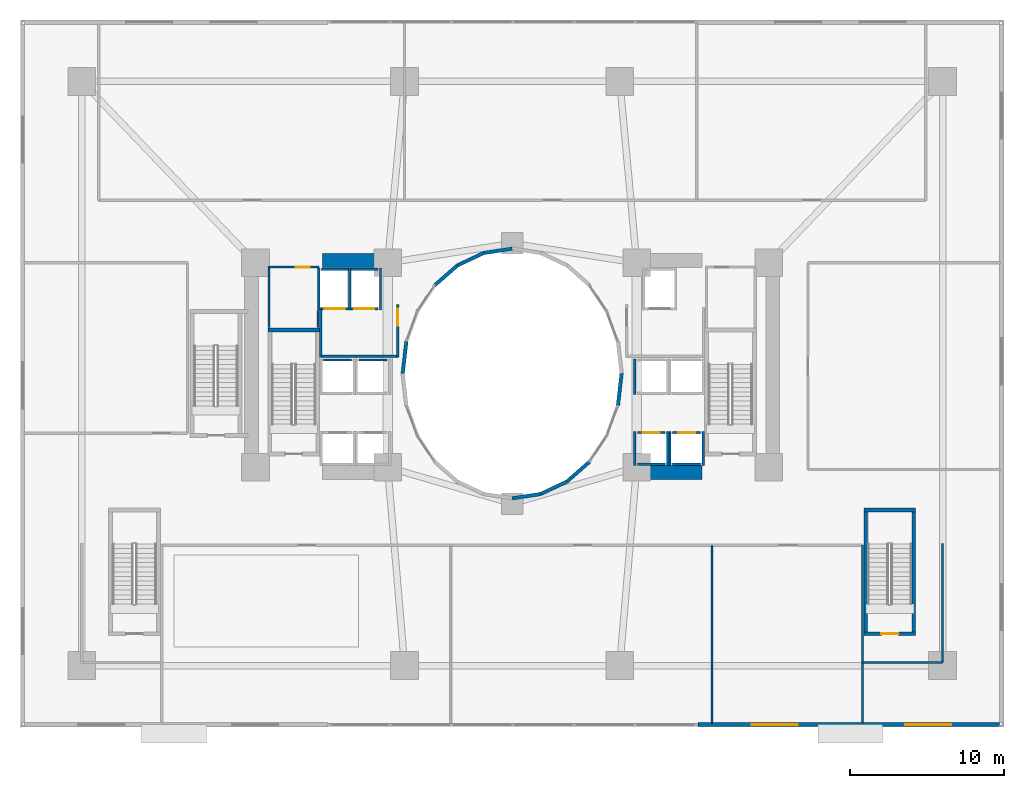
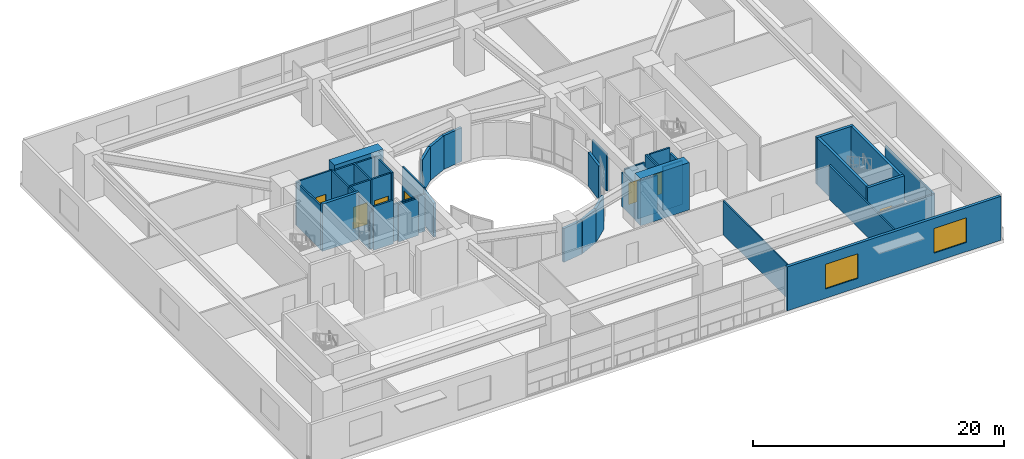
# One storey, part 16 of 25: 44 walls, 7 doors, 2 windows, 9 openings.
"""IFC4 building model written with IfcOpenShell, lengths in metres."""

from ifc_helpers import new_model, si_unit, direction, frame, frame_2d, origin, place, context, subcontext, project, spatial, rectangle, extrude, material, layer, layer_set, type_object, element, fill, save


model = new_model("IFC4")

# Units and contexts
model_context = context("Model", 3, precision=1e-05, world=origin(), true_north=direction((0.0, 1.0)))
body_context = subcontext(model_context, "Body", "Model", "MODEL_VIEW")
ifc_project = project(units=[si_unit("LENGTHUNIT", "METRE"), si_unit("AREAUNIT", "SQUARE_METRE"), si_unit("VOLUMEUNIT", "CUBIC_METRE"), si_unit("PLANEANGLEUNIT", "RADIAN"), si_unit("MASSUNIT", "GRAM", prefix="KILO")], contexts=[model_context])

# Site, building, storey
site_placement = place(None, origin())
site = spatial("IfcSite", under=ifc_project, at=site_placement, CompositionType="ELEMENT")
building_placement = place(site_placement, origin())
building = spatial("IfcBuilding", under=site, at=building_placement, Name="Solvane Sanctuary Tower", CompositionType="ELEMENT")
storey_placement = place(building_placement, frame((0.0, 0.0, 13.800048828125)))
storey = spatial("IfcBuildingStorey", under=building, at=storey_placement, Name="L04", CompositionType="ELEMENT", Elevation=13.800048828125)

# Walls
ifc_material_1 = material(Name="Concrete C70/85", Category="concrete")
ifc_layer_1 = layer(ifc_material_1, 0.89990234375, Name="Concrete C70/85")
ifc_layer_set_1 = layer_set([ifc_layer_1], Name="Concrete C70/85")
wall_type_1 = type_object("IfcWallType", Name="Wall W-CORE-900", PredefinedType="SHEAR", material=ifc_layer_set_1)
for number, where, z_axis, x_axis, name in (
    (1, (19.64990234375, 30.35009765625, 0.0), (0.0, 0.0, 1.0), (1.0, 0.0, 0.0), "L04 Core Shear Wall WC-N"),
    (2, (39.85009765625, 16.550048828125, 0.0), (0.0, 0.0, 1.0), (1.0, 0.0, 0.0), "L04 Core Shear Wall EC-S"),
):
    element("IfcWall", number, at=place(storey_placement, frame(where, z_axis=z_axis, x_axis=x_axis)), inside=storey, type_object=wall_type_1, Name=name, PredefinedType="SHEAR", context=body_context, shape_type="SweptSolid", body=[
        extrude(rectangle(XDim=4.5, YDim=0.89990234375, at=frame_2d((2.25, 0.0))), origin(), (0.0, 0.0, 1.0), 4.599853515625),
    ])
ifc_material_2 = material(Name="Acoustic Gypsum Partition Board")
ifc_layer_2 = layer(ifc_material_2, 0.14990234375, Name="Acoustic Gypsum Partition Board")
ifc_layer_set_2 = layer_set([ifc_layer_2], Name="Acoustic Gypsum Partition Board")
wall_type_2 = type_object("IfcWallType", Name="Wall W-CORR-150", PredefinedType="PARTITIONING", material=ifc_layer_set_2)
wall_1_placement = place(storey_placement, frame((19.52001953125, 24.1201171875, 0.0), z_axis=(0.0, 0.0, 1.0), x_axis=(1.0, 0.0, 0.0)))
element("IfcWall", 3, at=wall_1_placement, inside=storey, type_object=wall_type_2, Name="L04 West Firefighting Lobby South Wall", PredefinedType="PARTITIONING", context=body_context, shape_type="SweptSolid", body=[
    extrude(rectangle(XDim=5.080078125, YDim=0.14990234375, at=frame_2d((2.5400390625, 0.0))), origin(), (0.0, 0.0, 1.0), 3.619873046875),
])
wall_2_placement = place(storey_placement, frame((19.550048828125, 24.080078125, 0.0), z_axis=(0.0, 0.0, 1.0), x_axis=(0.0, 1.0, 0.0)))
element("IfcWall", 4, at=wall_2_placement, inside=storey, type_object=wall_type_2, Name="L04 West Firefighting Lobby West Wall", PredefinedType="PARTITIONING", context=body_context, shape_type="SweptSolid", body=[
    extrude(rectangle(XDim=3.199951171875, YDim=0.14990234375, at=frame_2d((1.60009765625, 0.0))), origin(), (0.0, 0.0, 1.0), 4.2548828125),
])

# Wall, opening, door
wall_3_placement = place(storey_placement, frame((24.550048828125, 24.080078125, 0.0), z_axis=(0.0, 0.0, 1.0), x_axis=(0.0, 1.0, 0.0)))
wall_3 = element("IfcWall", 5, at=wall_3_placement, inside=storey, type_object=wall_type_2, Name="L04 West Firefighting Lobby East Wall", PredefinedType="PARTITIONING", context=body_context, shape_type="SweptSolid", body=[
    extrude(rectangle(XDim=3.39990234375, YDim=0.14990234375, at=frame_2d((1.699951171875, 0.0))), origin(), (0.0, 0.0, 1.0), 4.2548828125),
])
opening_1_placement = place(wall_3_placement, frame((2.02001953125, 0.0, 0.0)))
opening_1 = element("IfcOpeningElement", 6, at=opening_1_placement, cuts=wall_3, Name="Opening D-L04-06", PredefinedType="OPENING", context=body_context, shape_type="SweptSolid", body=[
    extrude(rectangle(XDim=1.10009765625, YDim=2.10009765625, at=frame_2d((0.550048828125, 1.050048828125))), frame((0.0, 0.0849609375, 0.0), z_axis=(0.0, -1.0, 0.0), x_axis=(1.0, 0.0, 0.0)), (0.0, 0.0, 1.0), 0.169921875),
])
ifc_material_3 = material(Name="Architectural Stainless Steel 316", Category="steel")
door_type_1 = type_object("IfcDoorType", Name="Door D-FFL", OperationType="NOTDEFINED", PredefinedType="DOOR", material=ifc_material_3)
door_1_placement = place(opening_1_placement, origin())
door_1 = element("IfcDoor", 7, at=door_1_placement, inside=storey, type_object=door_type_1, Name="L04 West Firefighting Lobby Fire Door", OperationType="SINGLE_SWING_RIGHT", OverallHeight=2.10009765625, OverallWidth=1.10009765625, PredefinedType="DOOR", context=body_context, shape_type="SweptSolid", body=[
    extrude(rectangle(XDim=1.10009765625, YDim=2.10009765625, at=frame_2d((0.550048828125, 1.050048828125))), frame((0.0, 0.02490234375, 0.0), z_axis=(0.0, -1.0, 0.0), x_axis=(1.0, 0.0, 0.0)), (0.0, 0.0, 1.0), 0.050048828125),
])
fill(opening_1, door_1)

# Walls
wall_4_placement = place(storey_placement, frame((54.800048828125, 0.25, 0.0), z_axis=(0.0, 0.0, 1.0), x_axis=(0.0, 1.0, 0.0)))
element("IfcWall", 8, at=wall_4_placement, inside=storey, type_object=wall_type_2, Name="L04 East Hall End Wall", PredefinedType="PARTITIONING", context=body_context, shape_type="SweptSolid", body=[
    extrude(rectangle(XDim=11.580078125, YDim=0.14990234375, at=frame_2d((5.7900390625, 0.0))), origin(), (0.0, 0.0, 1.0), 3.300048828125),
])
wall_5_placement = place(storey_placement, frame((60.0, 4.199951171875, 0.0), z_axis=(0.0, 0.0, 1.0), x_axis=(0.0, 1.0, 0.0)))
element("IfcWall", 9, at=wall_5_placement, inside=storey, type_object=wall_type_2, Name="L04 ST-5 Link East Wall", PredefinedType="PARTITIONING", context=body_context, shape_type="SweptSolid", body=[
    extrude(rectangle(XDim=7.75, YDim=0.14990234375, at=frame_2d((3.875, 0.0))), origin(), (0.0, 0.0, 1.0), 3.300048828125),
])
wall_6_placement = place(storey_placement, frame((54.800048828125, 4.199951171875, 0.0), z_axis=(0.0, 0.0, 1.0), x_axis=(1.0, 0.0, 0.0)))
element("IfcWall", 10, at=wall_6_placement, inside=storey, type_object=wall_type_2, Name="L04 ST-5 Lobby South Wall", PredefinedType="PARTITIONING", context=body_context, shape_type="SweptSolid", body=[
    extrude(rectangle(XDim=5.199951171875, YDim=0.14990234375, at=frame_2d((2.60009765625, 0.0))), origin(), (0.0, 0.0, 1.0), 3.300048828125),
])

# Wall, openings, windows
ifc_material_4 = material(Name="Precast concrete C40/50", Category="concrete")
ifc_layer_3 = layer(ifc_material_4, 0.260009765625, Name="Precast concrete C40/50")
ifc_layer_set_3 = layer_set([ifc_layer_3], Name="Precast concrete C40/50")
wall_type_3 = type_object("IfcWallType", Name="Wall W-EXT-250", PredefinedType="STANDARD", material=ifc_layer_set_3)
wall_7_placement = place(storey_placement, frame((44.080078125, 0.14990234375, 0.0), z_axis=(0.0, 0.0, 1.0), x_axis=(1.0, 0.0, 0.0)))
wall_7 = element("IfcWall", 11, at=wall_7_placement, inside=storey, type_object=wall_type_3, Name="L04 Podium Facade Wall S3", PredefinedType="STANDARD", context=body_context, shape_type="SweptSolid", body=[
    extrude(rectangle(XDim=19.639892578125, YDim=0.260009765625, at=frame_2d((9.81982421875, 0.0))), origin(), (0.0, 0.0, 1.0), 4.280029296875),
])
opening_2_placement = place(wall_7_placement, frame((3.5, 0.0, 0.89990234375)))
opening_2 = element("IfcOpeningElement", 12, at=opening_2_placement, cuts=wall_7, Name="Opening WN-POD-3000", PredefinedType="OPENING", context=body_context, shape_type="SweptSolid", body=[
    extrude(rectangle(XDim=3.0, YDim=2.39990234375, at=frame_2d((1.5, 1.199951171875))), frame((0.0, 0.139892578125, 0.0), z_axis=(0.0, -1.0, 0.0), x_axis=(1.0, 0.0, 0.0)), (0.0, 0.0, 1.0), 0.280029296875),
])
opening_3_placement = place(wall_7_placement, frame((13.5, 0.0, 0.89990234375)))
opening_3 = element("IfcOpeningElement", 13, at=opening_3_placement, cuts=wall_7, Name="Opening WN-POD-3000", PredefinedType="OPENING", context=body_context, shape_type="SweptSolid", body=[
    extrude(rectangle(XDim=3.0, YDim=2.39990234375, at=frame_2d((1.5, 1.199951171875))), frame((0.0, 0.139892578125, 0.0), z_axis=(0.0, -1.0, 0.0), x_axis=(1.0, 0.0, 0.0)), (0.0, 0.0, 1.0), 0.280029296875),
])
ifc_material_5 = material(Name="Dark Ceramic-Fritted Low-E Glass", Category="glass")
window_type = type_object("IfcWindowType", Name="Window WN-POD-3000", PartitioningType="SINGLE_PANEL", PredefinedType="WINDOW", material=ifc_material_5)
window_1_placement = place(opening_2_placement, origin())
window_1 = element("IfcWindow", 14, at=window_1_placement, inside=storey, type_object=window_type, Name="L04 Podium Window S3-3", OverallHeight=2.39990234375, OverallWidth=3.0, PartitioningType="SINGLE_PANEL", PredefinedType="WINDOW", context=body_context, shape_type="SweptSolid", body=[
    extrude(rectangle(XDim=3.0, YDim=2.39990234375, at=frame_2d((1.5, 1.199951171875))), frame((0.0, 0.030029296875, 0.0), z_axis=(0.0, -1.0, 0.0), x_axis=(1.0, 0.0, 0.0)), (0.0, 0.0, 1.0), 0.06005859375),
])
fill(opening_2, window_1)
window_2_placement = place(opening_3_placement, origin())
window_2 = element("IfcWindow", 15, at=window_2_placement, inside=storey, type_object=window_type, Name="L04 Podium Window S3-13", OverallHeight=2.39990234375, OverallWidth=3.0, PartitioningType="SINGLE_PANEL", PredefinedType="WINDOW", context=body_context, shape_type="SweptSolid", body=[
    extrude(rectangle(XDim=3.0, YDim=2.39990234375, at=frame_2d((1.5, 1.199951171875))), frame((0.0, 0.030029296875, 0.0), z_axis=(0.0, -1.0, 0.0), x_axis=(1.0, 0.0, 0.0)), (0.0, 0.0, 1.0), 0.06005859375),
])
fill(opening_3, window_2)

# Walls
ifc_layer_4 = layer(ifc_material_4, 0.22998046875, Name="Precast concrete C40/50")
ifc_layer_set_4 = layer_set([ifc_layer_4], Name="Precast concrete C40/50")
wall_type_4 = type_object("IfcWallType", Name="Wall W-EXT-SP220", PredefinedType="STANDARD", material=ifc_layer_set_4)
wall_8_placement = place(storey_placement, frame((32.0, 31.1201171875, 0.0), z_axis=(0.0, 0.0, 1.0), x_axis=(-0.988901730308, -0.148571086668, 0.0)))
element("IfcWall", 16, at=wall_8_placement, inside=storey, type_object=wall_type_4, Name="L04 Light-Well Enclosure Wall 06", PredefinedType="STANDARD", context=body_context, shape_type="SweptSolid", body=[
    extrude(rectangle(XDim=1.863525390625, YDim=0.22998046875, at=frame_2d((0.931640625, 0.0))), origin(), (0.0, 0.0, 1.0), 3.280029296875),
])
wall_9_placement = place(storey_placement, frame((30.1572265625, 30.84326171875, 0.0), z_axis=(0.0, 0.0, 1.0), x_axis=(-0.904179699603, -0.427152280606, 0.0)))
element("IfcWall", 17, at=wall_9_placement, inside=storey, type_object=wall_type_4, Name="L04 Light-Well Enclosure Wall 07", PredefinedType="STANDARD", context=body_context, shape_type="SweptSolid", body=[
    extrude(rectangle(XDim=1.899169921875, YDim=0.22998046875, at=frame_2d((0.94970703125, 0.0))), origin(), (0.0, 0.0, 1.0), 3.280029296875),
])
wall_10_placement = place(storey_placement, frame((28.43994140625, 30.031982421875, 0.0), z_axis=(0.0, 0.0, 1.0), x_axis=(-0.752576694707, -0.658504607869, 0.0)))
element("IfcWall", 18, at=wall_10_placement, inside=storey, type_object=wall_type_4, Name="L04 Light-Well Enclosure Wall 08", PredefinedType="STANDARD", context=body_context, shape_type="SweptSolid", body=[
    extrude(rectangle(XDim=1.95947265625, YDim=0.22998046875, at=frame_2d((0.979736328125, 0.0))), origin(), (0.0, 0.0, 1.0), 3.280029296875),
])
wall_11_placement = place(storey_placement, frame((25.12255859375, 25.1015625, 0.0), z_axis=(0.0, 0.0, 1.0), x_axis=(-0.114711713601, -0.993398823617, 0.0)))
element("IfcWall", 19, at=wall_11_placement, inside=storey, type_object=wall_type_4, Name="L04 Light-Well Enclosure Wall 11", PredefinedType="STANDARD", context=body_context, shape_type="SweptSolid", body=[
    extrude(rectangle(XDim=2.115478515625, YDim=0.22998046875, at=frame_2d((1.0576171875, 0.0))), origin(), (0.0, 0.0, 1.0), 3.280029296875),
])
wall_12_placement = place(storey_placement, frame((32.0, 14.8798828125, 0.0), z_axis=(0.0, 0.0, 1.0), x_axis=(0.988901730308, 0.148571086668, 0.0)))
element("IfcWall", 20, at=wall_12_placement, inside=storey, type_object=wall_type_4, Name="L04 Light-Well Enclosure Wall 18", PredefinedType="STANDARD", context=body_context, shape_type="SweptSolid", body=[
    extrude(rectangle(XDim=1.863525390625, YDim=0.22998046875, at=frame_2d((0.931640625, 0.0))), origin(), (0.0, 0.0, 1.0), 3.280029296875),
])
wall_13_placement = place(storey_placement, frame((33.8427734375, 15.15673828125, 0.0), z_axis=(0.0, 0.0, 1.0), x_axis=(0.904179699603, 0.427152280606, 0.0)))
element("IfcWall", 21, at=wall_13_placement, inside=storey, type_object=wall_type_4, Name="L04 Light-Well Enclosure Wall 19", PredefinedType="STANDARD", context=body_context, shape_type="SweptSolid", body=[
    extrude(rectangle(XDim=1.899169921875, YDim=0.22998046875, at=frame_2d((0.94970703125, 0.0))), origin(), (0.0, 0.0, 1.0), 3.280029296875),
])
wall_14_placement = place(storey_placement, frame((35.56005859375, 15.968017578125, 0.0), z_axis=(0.0, 0.0, 1.0), x_axis=(0.752576694707, 0.658504607869, 0.0)))
element("IfcWall", 22, at=wall_14_placement, inside=storey, type_object=wall_type_4, Name="L04 Light-Well Enclosure Wall 20", PredefinedType="STANDARD", context=body_context, shape_type="SweptSolid", body=[
    extrude(rectangle(XDim=1.95947265625, YDim=0.22998046875, at=frame_2d((0.979736328125, 0.0))), origin(), (0.0, 0.0, 1.0), 3.280029296875),
])
wall_15_placement = place(storey_placement, frame((38.87744140625, 20.8984375, 0.0), z_axis=(0.0, 0.0, 1.0), x_axis=(0.114711713601, 0.993398823617, 0.0)))
element("IfcWall", 23, at=wall_15_placement, inside=storey, type_object=wall_type_4, Name="L04 Light-Well Enclosure Wall 23", PredefinedType="STANDARD", context=body_context, shape_type="SweptSolid", body=[
    extrude(rectangle(XDim=2.115478515625, YDim=0.22998046875, at=frame_2d((1.0576171875, 0.0))), origin(), (0.0, 0.0, 1.0), 3.280029296875),
])
ifc_layer_5 = layer(ifc_material_2, 0.1201171875, Name="Acoustic Gypsum Partition Board")
ifc_layer_set_5 = layer_set([ifc_layer_5], Name="Acoustic Gypsum Partition Board")
wall_type_5 = type_object("IfcWallType", Name="Wall W-MOV-100", PredefinedType="MOVABLE", material=ifc_layer_set_5)
wall_16_placement = place(storey_placement, frame((45.0, 0.25, 0.0), z_axis=(0.0, 0.0, 1.0), x_axis=(0.0, 1.0, 0.0)))
element("IfcWall", 24, at=wall_16_placement, inside=storey, type_object=wall_type_5, Name="L04 Hall Dividing Partition REF-E", PredefinedType="MOVABLE", context=body_context, shape_type="SweptSolid", body=[
    extrude(rectangle(XDim=11.530029296875, YDim=0.1201171875, at=frame_2d((5.76513671875, 0.0))), origin(), (0.0, 0.0, 1.0), 3.300048828125),
])

# Wall, opening, door
ifc_material_6 = material(Name="Concrete C50/60", Category="concrete")
ifc_layer_6 = layer(ifc_material_6, 0.14990234375, Name="Concrete C50/60")
ifc_layer_set_6 = layer_set([ifc_layer_6], Name="Concrete C50/60")
wall_type_6 = type_object("IfcWallType", Name="Wall W-SHAFT-150", PredefinedType="SOLIDWALL", material=ifc_layer_set_6)
wall_17_placement = place(storey_placement, frame((40.139892578125, 19.159912109375, 0.0), z_axis=(0.0, 0.0, 1.0), x_axis=(1.0, 0.0, 0.0)))
wall_17 = element("IfcWall", 25, at=wall_17_placement, inside=storey, type_object=wall_type_6, Name="L04 PL-3 Lift Shaft Wall F", PredefinedType="SOLIDWALL", context=body_context, shape_type="SweptSolid", body=[
    extrude(rectangle(XDim=1.820068359375, YDim=0.14990234375, at=frame_2d((0.91015625, 0.0))), origin(), (0.0, 0.0, 1.0), 3.619873046875),
])
opening_4_placement = place(wall_17_placement, frame((0.360107421875, 0.0, 0.0)))
opening_4 = element("IfcOpeningElement", 26, at=opening_4_placement, cuts=wall_17, Name="Opening LD-L04-03", PredefinedType="OPENING", context=body_context, shape_type="SweptSolid", body=[
    extrude(rectangle(XDim=1.10009765625, YDim=2.10009765625, at=frame_2d((0.550048828125, 1.050048828125))), frame((0.0, 0.0849609375, 0.0), z_axis=(0.0, -1.0, 0.0), x_axis=(1.0, 0.0, 0.0)), (0.0, 0.0, 1.0), 0.169921875),
])
door_type_2 = type_object("IfcDoorType", Name="Door LD-PASS-1100", OperationType="NOTDEFINED", PredefinedType="DOOR", material=ifc_material_3)
door_2_placement = place(opening_4_placement, origin())
door_2 = element("IfcDoor", 27, at=door_2_placement, inside=storey, type_object=door_type_2, Name="L04 PL-3 Lift Landing Door", OperationType="DOUBLE_DOOR_SLIDING", OverallHeight=2.10009765625, OverallWidth=1.10009765625, PredefinedType="DOOR", context=body_context, shape_type="SweptSolid", body=[
    extrude(rectangle(XDim=1.10009765625, YDim=2.10009765625, at=frame_2d((0.550048828125, 1.050048828125))), frame((0.0, 0.02490234375, 0.0), z_axis=(0.0, -1.0, 0.0), x_axis=(1.0, 0.0, 0.0)), (0.0, 0.0, 1.0), 0.050048828125),
])
fill(opening_4, door_2)

# Walls
wall_18_placement = place(storey_placement, frame((40.139892578125, 17.10009765625, 0.0), z_axis=(0.0, 0.0, 1.0), x_axis=(1.0, 0.0, 0.0)))
element("IfcWall", 28, at=wall_18_placement, inside=storey, type_object=wall_type_6, Name="L04 PL-3 Lift Shaft Wall B", PredefinedType="SOLIDWALL", context=body_context, shape_type="SweptSolid", body=[
    extrude(rectangle(XDim=1.820068359375, YDim=0.14990234375, at=frame_2d((0.91015625, 0.0))), origin(), (0.0, 0.0, 1.0), 3.619873046875),
])
wall_19_placement = place(storey_placement, frame((39.969970703125, 17.02001953125, 0.0), z_axis=(0.0, 0.0, 1.0), x_axis=(0.0, 1.0, 0.0)))
element("IfcWall", 29, at=wall_19_placement, inside=storey, type_object=wall_type_6, Name="L04 PL-3 Lift Shaft Wall S1", PredefinedType="SOLIDWALL", context=body_context, shape_type="SweptSolid", body=[
    extrude(rectangle(XDim=2.219970703125, YDim=0.14990234375, at=frame_2d((1.10986328125, 0.0))), origin(), (0.0, 0.0, 1.0), 3.300048828125),
])
wall_20_placement = place(storey_placement, frame((42.1298828125, 17.02001953125, 0.0), z_axis=(0.0, 0.0, 1.0), x_axis=(0.0, 1.0, 0.0)))
element("IfcWall", 30, at=wall_20_placement, inside=storey, type_object=wall_type_6, Name="L04 PL-3 Lift Shaft Wall S2", PredefinedType="SOLIDWALL", context=body_context, shape_type="SweptSolid", body=[
    extrude(rectangle(XDim=2.219970703125, YDim=0.14990234375, at=frame_2d((1.10986328125, 0.0))), origin(), (0.0, 0.0, 1.0), 4.2548828125),
])

# Wall, opening, door
wall_21_placement = place(storey_placement, frame((42.43994140625, 19.159912109375, 0.0), z_axis=(0.0, 0.0, 1.0), x_axis=(1.0, 0.0, 0.0)))
wall_21 = element("IfcWall", 31, at=wall_21_placement, inside=storey, type_object=wall_type_6, Name="L04 PL-4 Lift Shaft Wall F", PredefinedType="SOLIDWALL", context=body_context, shape_type="SweptSolid", body=[
    extrude(rectangle(XDim=1.820068359375, YDim=0.14990234375, at=frame_2d((0.91015625, 0.0))), origin(), (0.0, 0.0, 1.0), 4.2548828125),
])
opening_5_placement = place(wall_21_placement, frame((0.360107421875, 0.0, 0.0)))
opening_5 = element("IfcOpeningElement", 32, at=opening_5_placement, cuts=wall_21, Name="Opening LD-L04-04", PredefinedType="OPENING", context=body_context, shape_type="SweptSolid", body=[
    extrude(rectangle(XDim=1.10009765625, YDim=2.10009765625, at=frame_2d((0.550048828125, 1.050048828125))), frame((0.0, 0.0849609375, 0.0), z_axis=(0.0, -1.0, 0.0), x_axis=(1.0, 0.0, 0.0)), (0.0, 0.0, 1.0), 0.169921875),
])
door_3_placement = place(opening_5_placement, origin())
door_3 = element("IfcDoor", 33, at=door_3_placement, inside=storey, type_object=door_type_2, Name="L04 PL-4 Lift Landing Door", OperationType="DOUBLE_DOOR_SLIDING", OverallHeight=2.10009765625, OverallWidth=1.10009765625, PredefinedType="DOOR", context=body_context, shape_type="SweptSolid", body=[
    extrude(rectangle(XDim=1.10009765625, YDim=2.10009765625, at=frame_2d((0.550048828125, 1.050048828125))), frame((0.0, 0.02490234375, 0.0), z_axis=(0.0, -1.0, 0.0), x_axis=(1.0, 0.0, 0.0)), (0.0, 0.0, 1.0), 0.050048828125),
])
fill(opening_5, door_3)

# Walls
wall_22_placement = place(storey_placement, frame((42.43994140625, 17.10009765625, 0.0), z_axis=(0.0, 0.0, 1.0), x_axis=(1.0, 0.0, 0.0)))
element("IfcWall", 34, at=wall_22_placement, inside=storey, type_object=wall_type_6, Name="L04 PL-4 Lift Shaft Wall B", PredefinedType="SOLIDWALL", context=body_context, shape_type="SweptSolid", body=[
    extrude(rectangle(XDim=1.820068359375, YDim=0.14990234375, at=frame_2d((0.91015625, 0.0))), origin(), (0.0, 0.0, 1.0), 4.2548828125),
])
wall_23_placement = place(storey_placement, frame((42.27001953125, 17.02001953125, 0.0), z_axis=(0.0, 0.0, 1.0), x_axis=(0.0, 1.0, 0.0)))
element("IfcWall", 35, at=wall_23_placement, inside=storey, type_object=wall_type_6, Name="L04 PL-4 Lift Shaft Wall S1", PredefinedType="SOLIDWALL", context=body_context, shape_type="SweptSolid", body=[
    extrude(rectangle(XDim=2.219970703125, YDim=0.14990234375, at=frame_2d((1.10986328125, 0.0))), origin(), (0.0, 0.0, 1.0), 4.2548828125),
])
wall_24_placement = place(storey_placement, frame((44.429931640625, 17.02001953125, 0.0), z_axis=(0.0, 0.0, 1.0), x_axis=(0.0, 1.0, 0.0)))
element("IfcWall", 36, at=wall_24_placement, inside=storey, type_object=wall_type_6, Name="L04 PL-4 Lift Shaft Wall S2", PredefinedType="SOLIDWALL", context=body_context, shape_type="SweptSolid", body=[
    extrude(rectangle(XDim=2.219970703125, YDim=0.14990234375, at=frame_2d((1.10986328125, 0.0))), origin(), (0.0, 0.0, 1.0), 3.619873046875),
])
wall_25_placement = place(storey_placement, frame((19.739990234375, 23.8798828125, 0.0), z_axis=(0.0, 0.0, 1.0), x_axis=(1.0, 0.0, 0.0)))
element("IfcWall", 37, at=wall_25_placement, inside=storey, type_object=wall_type_6, Name="L04 PM-1 Lift Shaft Wall B", PredefinedType="SOLIDWALL", context=body_context, shape_type="SweptSolid", body=[
    extrude(rectangle(XDim=1.820068359375, YDim=0.14990234375, at=frame_2d((0.91015625, 0.0))), origin(), (0.0, 0.0, 1.0), 4.2548828125),
])
wall_26_placement = place(storey_placement, frame((22.0400390625, 23.8798828125, 0.0), z_axis=(0.0, 0.0, 1.0), x_axis=(1.0, 0.0, 0.0)))
element("IfcWall", 38, at=wall_26_placement, inside=storey, type_object=wall_type_6, Name="L04 PH-1 Lift Shaft Wall B", PredefinedType="SOLIDWALL", context=body_context, shape_type="SweptSolid", body=[
    extrude(rectangle(XDim=1.820068359375, YDim=0.14990234375, at=frame_2d((0.91015625, 0.0))), origin(), (0.0, 0.0, 1.0), 3.619873046875),
])
wall_27_placement = place(storey_placement, frame((39.969970703125, 21.639892578125, 0.0), z_axis=(0.0, 0.0, 1.0), x_axis=(0.0, 1.0, 0.0)))
element("IfcWall", 39, at=wall_27_placement, inside=storey, type_object=wall_type_6, Name="L04 PH-2 Lift Shaft Wall S1", PredefinedType="SOLIDWALL", context=body_context, shape_type="SweptSolid", body=[
    extrude(rectangle(XDim=2.320068359375, YDim=0.14990234375, at=frame_2d((1.16015625, 0.0))), origin(), (0.0, 0.0, 1.0), 3.619873046875),
])

# Wall, opening, door
wall_28_placement = place(storey_placement, frame((19.590087890625, 27.219970703125, 0.0), z_axis=(0.0, 0.0, 1.0), x_axis=(1.0, 0.0, 0.0)))
wall_28 = element("IfcWall", 40, at=wall_28_placement, inside=storey, type_object=wall_type_6, Name="L04 FFL-1 Lift Shaft Wall F", PredefinedType="SOLIDWALL", context=body_context, shape_type="SweptSolid", body=[
    extrude(rectangle(XDim=1.760009765625, YDim=0.14990234375, at=frame_2d((0.8798828125, 0.0))), origin(), (0.0, 0.0, 1.0), 4.2548828125),
])
opening_6_placement = place(wall_28_placement, frame((0.22998046875, 0.0, 0.0)))
opening_6 = element("IfcOpeningElement", 41, at=opening_6_placement, cuts=wall_28, Name="Opening LD-L04-05", PredefinedType="OPENING", context=body_context, shape_type="SweptSolid", body=[
    extrude(rectangle(XDim=1.300048828125, YDim=2.10009765625, at=frame_2d((0.64990234375, 1.050048828125))), frame((0.0, 0.0849609375, 0.0), z_axis=(0.0, -1.0, 0.0), x_axis=(1.0, 0.0, 0.0)), (0.0, 0.0, 1.0), 0.169921875),
])
door_type_3 = type_object("IfcDoorType", Name="Door LD-FFL-1300", OperationType="NOTDEFINED", PredefinedType="DOOR", material=ifc_material_3)
door_4_placement = place(opening_6_placement, origin())
door_4 = element("IfcDoor", 42, at=door_4_placement, inside=storey, type_object=door_type_3, Name="L04 FFL-1 Lift Landing Door", OperationType="DOUBLE_DOOR_SLIDING", OverallHeight=2.10009765625, OverallWidth=1.300048828125, PredefinedType="DOOR", context=body_context, shape_type="SweptSolid", body=[
    extrude(rectangle(XDim=1.300048828125, YDim=2.10009765625, at=frame_2d((0.64990234375, 1.050048828125))), frame((0.0, 0.02490234375, 0.0), z_axis=(0.0, -1.0, 0.0), x_axis=(1.0, 0.0, 0.0)), (0.0, 0.0, 1.0), 0.050048828125),
])
fill(opening_6, door_4)

# Walls
wall_29_placement = place(storey_placement, frame((19.590087890625, 29.780029296875, 0.0), z_axis=(0.0, 0.0, 1.0), x_axis=(1.0, 0.0, 0.0)))
element("IfcWall", 43, at=wall_29_placement, inside=storey, type_object=wall_type_6, Name="L04 FFL-1 Lift Shaft Wall B", PredefinedType="SOLIDWALL", context=body_context, shape_type="SweptSolid", body=[
    extrude(rectangle(XDim=1.760009765625, YDim=0.14990234375, at=frame_2d((0.8798828125, 0.0))), origin(), (0.0, 0.0, 1.0), 4.2548828125),
])
for number, where, z_axis, x_axis, name in (
    (44, (19.419921875, 27.139892578125, 0.0), (0.0, 0.0, 1.0), (0.0, 1.0, 0.0), "L04 FFL-1 Lift Shaft Wall S1"),
    (45, (21.425048828125, 27.139892578125, 0.0), (0.0, 0.0, 1.0), (0.0, 1.0, 0.0), "L04 FFL-1 Lift Shaft Wall S2"),
):
    element("IfcWall", number, at=place(storey_placement, frame(where, z_axis=z_axis, x_axis=x_axis)), inside=storey, type_object=wall_type_6, Name=name, PredefinedType="SOLIDWALL", context=body_context, shape_type="SweptSolid", body=[
        extrude(rectangle(XDim=2.72021484375, YDim=0.14990234375, at=frame_2d((1.360107421875, 0.0))), origin(), (0.0, 0.0, 1.0), 4.2548828125),
    ])

# Wall, opening, door
wall_30_placement = place(storey_placement, frame((21.5, 27.219970703125, 0.0), z_axis=(0.0, 0.0, 1.0), x_axis=(1.0, 0.0, 0.0)))
wall_30 = element("IfcWall", 46, at=wall_30_placement, inside=storey, type_object=wall_type_6, Name="L04 SVL-1 Lift Shaft Wall F", PredefinedType="SOLIDWALL", context=body_context, shape_type="SweptSolid", body=[
    extrude(rectangle(XDim=1.760009765625, YDim=0.14990234375, at=frame_2d((0.8798828125, 0.0))), origin(), (0.0, 0.0, 1.0), 4.2548828125),
])
opening_7_placement = place(wall_30_placement, frame((0.22998046875, 0.0, 0.0)))
opening_7 = element("IfcOpeningElement", 47, at=opening_7_placement, cuts=wall_30, Name="Opening LD-L04-06", PredefinedType="OPENING", context=body_context, shape_type="SweptSolid", body=[
    extrude(rectangle(XDim=1.300048828125, YDim=2.10009765625, at=frame_2d((0.64990234375, 1.050048828125))), frame((0.0, 0.0849609375, 0.0), z_axis=(0.0, -1.0, 0.0), x_axis=(1.0, 0.0, 0.0)), (0.0, 0.0, 1.0), 0.169921875),
])
door_5_placement = place(opening_7_placement, origin())
door_5 = element("IfcDoor", 48, at=door_5_placement, inside=storey, type_object=door_type_3, Name="L04 SVL-1 Lift Landing Door", OperationType="DOUBLE_DOOR_SLIDING", OverallHeight=2.10009765625, OverallWidth=1.300048828125, PredefinedType="DOOR", context=body_context, shape_type="SweptSolid", body=[
    extrude(rectangle(XDim=1.300048828125, YDim=2.10009765625, at=frame_2d((0.64990234375, 1.050048828125))), frame((0.0, 0.02490234375, 0.0), z_axis=(0.0, -1.0, 0.0), x_axis=(1.0, 0.0, 0.0)), (0.0, 0.0, 1.0), 0.050048828125),
])
fill(opening_7, door_5)

# Walls
wall_31_placement = place(storey_placement, frame((21.5, 29.780029296875, 0.0), z_axis=(0.0, 0.0, 1.0), x_axis=(1.0, 0.0, 0.0)))
element("IfcWall", 49, at=wall_31_placement, inside=storey, type_object=wall_type_6, Name="L04 SVL-1 Lift Shaft Wall B", PredefinedType="SOLIDWALL", context=body_context, shape_type="SweptSolid", body=[
    extrude(rectangle(XDim=1.760009765625, YDim=0.14990234375, at=frame_2d((0.8798828125, 0.0))), origin(), (0.0, 0.0, 1.0), 4.2548828125),
])
wall_32_placement = place(storey_placement, frame((23.429931640625, 27.139892578125, 0.0), z_axis=(0.0, 0.0, 1.0), x_axis=(0.0, 1.0, 0.0)))
element("IfcWall", 50, at=wall_32_placement, inside=storey, type_object=wall_type_6, Name="L04 SVL-1 Lift Shaft Wall S2", PredefinedType="SOLIDWALL", context=body_context, shape_type="SweptSolid", body=[
    extrude(rectangle(XDim=2.72021484375, YDim=0.14990234375, at=frame_2d((1.360107421875, 0.0))), origin(), (0.0, 0.0, 1.0), 4.2548828125),
])
ifc_layer_7 = layer(ifc_material_6, 0.25, Name="Concrete C50/60")
ifc_layer_set_7 = layer_set([ifc_layer_7], Name="Concrete C50/60")
wall_type_7 = type_object("IfcWallType", Name="Wall W-SHAFT-250", PredefinedType="SOLIDWALL", material=ifc_layer_set_7)
wall_33_placement = place(storey_placement, frame((16.10498046875, 25.830078125, 0.0), z_axis=(0.0, 0.0, 1.0), x_axis=(1.0, 0.0, 0.0)))
element("IfcWall", 51, at=wall_33_placement, inside=storey, type_object=wall_type_7, Name="L04 ST-1 Load-Bearing Shaft Wall N", PredefinedType="SOLIDWALL", context=body_context, shape_type="SweptSolid", body=[
    extrude(rectangle(XDim=3.3701171875, YDim=0.25, at=frame_2d((1.68505859375, 0.0))), origin(), (0.0, 0.0, 1.0), 4.599853515625),
])

# Wall, opening, door
wall_34_placement = place(storey_placement, frame((54.885009765625, 6.070068359375, 0.0), z_axis=(0.0, 0.0, 1.0), x_axis=(1.0, 0.0, 0.0)))
wall_34 = element("IfcWall", 52, at=wall_34_placement, inside=storey, type_object=wall_type_7, Name="L04 ST-5 Load-Bearing Shaft Wall S", PredefinedType="SOLIDWALL", context=body_context, shape_type="SweptSolid", body=[
    extrude(rectangle(XDim=3.369873046875, YDim=0.25, at=frame_2d((1.68505859375, 0.0))), origin(), (0.0, 0.0, 1.0), 4.599853515625),
])
opening_8_placement = place(wall_34_placement, frame((1.135009765625, 0.0, 0.0)))
opening_8 = element("IfcOpeningElement", 53, at=opening_8_placement, cuts=wall_34, Name="Opening D-L04-05", PredefinedType="OPENING", context=body_context, shape_type="SweptSolid", body=[
    extrude(rectangle(XDim=1.10009765625, YDim=2.10009765625, at=frame_2d((0.550048828125, 1.050048828125))), frame((0.0, 0.135009765625, 0.0), z_axis=(0.0, -1.0, 0.0), x_axis=(1.0, 0.0, 0.0)), (0.0, 0.0, 1.0), 0.27001953125),
])
door_type_4 = type_object("IfcDoorType", Name="Door D-STAIR", OperationType="NOTDEFINED", PredefinedType="DOOR", material=ifc_material_3)
door_6_placement = place(opening_8_placement, origin())
door_6 = element("IfcDoor", 54, at=door_6_placement, inside=storey, type_object=door_type_4, Name="L04 ST-5 Exit Stair Fire Door", OperationType="SINGLE_SWING_RIGHT", OverallHeight=2.10009765625, OverallWidth=1.10009765625, PredefinedType="DOOR", context=body_context, shape_type="SweptSolid", body=[
    extrude(rectangle(XDim=1.10009765625, YDim=2.10009765625, at=frame_2d((0.550048828125, 1.050048828125))), frame((0.0, 0.02490234375, 0.0), z_axis=(0.0, -1.0, 0.0), x_axis=(1.0, 0.0, 0.0)), (0.0, 0.0, 1.0), 0.050048828125),
])
fill(opening_8, door_6)

# Walls
wall_35_placement = place(storey_placement, frame((54.885009765625, 14.1298828125, 0.0), z_axis=(0.0, 0.0, 1.0), x_axis=(1.0, 0.0, 0.0)))
element("IfcWall", 55, at=wall_35_placement, inside=storey, type_object=wall_type_7, Name="L04 ST-5 Load-Bearing Shaft Wall N", PredefinedType="SOLIDWALL", context=body_context, shape_type="SweptSolid", body=[
    extrude(rectangle(XDim=3.369873046875, YDim=0.25, at=frame_2d((1.68505859375, 0.0))), origin(), (0.0, 0.0, 1.0), 4.599853515625),
])
for number, where, z_axis, x_axis, name in (
    (56, (55.010009765625, 6.195068359375, 0.0), (0.0, 0.0, 1.0), (0.0, 1.0, 0.0), "L04 ST-5 Load-Bearing Shaft Wall W"),
    (57, (58.1298828125, 6.195068359375, 0.0), (0.0, 0.0, 1.0), (0.0, 1.0, 0.0), "L04 ST-5 Load-Bearing Shaft Wall E"),
):
    element("IfcWall", number, at=place(storey_placement, frame(where, z_axis=z_axis, x_axis=x_axis)), inside=storey, type_object=wall_type_7, Name=name, PredefinedType="SOLIDWALL", context=body_context, shape_type="SweptSolid", body=[
        extrude(rectangle(XDim=7.809814453125, YDim=0.25, at=frame_2d((3.90478515625, 0.0))), origin(), (0.0, 0.0, 1.0), 4.599853515625),
    ])

# Wall, opening, door
ifc_layer_8 = layer(ifc_material_2, 0.139892578125, Name="Acoustic Gypsum Partition Board")
ifc_layer_set_8 = layer_set([ifc_layer_8], Name="Acoustic Gypsum Partition Board")
wall_type_8 = type_object("IfcWallType", Name="Wall W-WET-140", PredefinedType="PLUMBINGWALL", material=ifc_layer_set_8)
wall_36_placement = place(storey_placement, frame((16.1201171875, 29.919921875, 0.0), z_axis=(0.0, 0.0, 1.0), x_axis=(1.0, 0.0, 0.0)))
wall_36 = element("IfcWall", 58, at=wall_36_placement, inside=storey, type_object=wall_type_8, Name="L04 Core WC Front Wall", PredefinedType="PLUMBINGWALL", context=body_context, shape_type="SweptSolid", body=[
    extrude(rectangle(XDim=3.2998046875, YDim=0.139892578125, at=frame_2d((1.64990234375, 0.0))), origin(), (0.0, 0.0, 1.0), 4.2548828125),
])
opening_9_placement = place(wall_36_placement, frame((1.81298828125, 0.0, 0.0)))
opening_9 = element("IfcOpeningElement", 59, at=opening_9_placement, cuts=wall_36, Name="Opening D-L04-16", PredefinedType="OPENING", context=body_context, shape_type="SweptSolid", body=[
    extrude(rectangle(XDim=0.89990234375, YDim=2.10009765625, at=frame_2d((0.449951171875, 1.050048828125))), frame((0.0, 0.079833984375, 0.0), z_axis=(0.0, -1.0, 0.0), x_axis=(1.0, 0.0, 0.0)), (0.0, 0.0, 1.0), 0.159912109375),
])
ifc_material_7 = material(Name="Engineered Tropical Hardwood", Category="wood")
door_type_5 = type_object("IfcDoorType", Name="Door D-WET-900", OperationType="NOTDEFINED", PredefinedType="DOOR", material=ifc_material_7)
door_7_placement = place(opening_9_placement, origin())
door_7 = element("IfcDoor", 60, at=door_7_placement, inside=storey, type_object=door_type_5, Name="L04 Core WC Door", OperationType="SINGLE_SWING_RIGHT", OverallHeight=2.10009765625, OverallWidth=0.89990234375, PredefinedType="DOOR", context=body_context, shape_type="SweptSolid", body=[
    extrude(rectangle(XDim=0.89990234375, YDim=2.10009765625, at=frame_2d((0.449951171875, 1.050048828125))), frame((0.0, 0.02490234375, 0.0), z_axis=(0.0, -1.0, 0.0), x_axis=(1.0, 0.0, 0.0)), (0.0, 0.0, 1.0), 0.050048828125),
])
fill(opening_9, door_7)

# Walls
wall_37_placement = place(storey_placement, frame((16.179931640625, 25.97998046875, 0.0), z_axis=(0.0, 0.0, 1.0), x_axis=(0.0, 1.0, 0.0)))
element("IfcWall", 61, at=wall_37_placement, inside=storey, type_object=wall_type_8, Name="L04 Core WC West Wall", PredefinedType="PLUMBINGWALL", context=body_context, shape_type="SweptSolid", body=[
    extrude(rectangle(XDim=3.880126953125, YDim=0.139892578125, at=frame_2d((1.93994140625, 0.0))), origin(), (0.0, 0.0, 1.0), 4.2548828125),
])
wall_38_placement = place(storey_placement, frame((19.360107421875, 25.97998046875, 0.0), z_axis=(0.0, 0.0, 1.0), x_axis=(0.0, 1.0, 0.0)))
element("IfcWall", 62, at=wall_38_placement, inside=storey, type_object=wall_type_8, Name="L04 Core WC East Closer", PredefinedType="PLUMBINGWALL", context=body_context, shape_type="SweptSolid", body=[
    extrude(rectangle(XDim=1.1201171875, YDim=0.139892578125, at=frame_2d((0.56005859375, 0.0))), origin(), (0.0, 0.0, 1.0), 4.2548828125),
])

save(model, "model.ifc")
